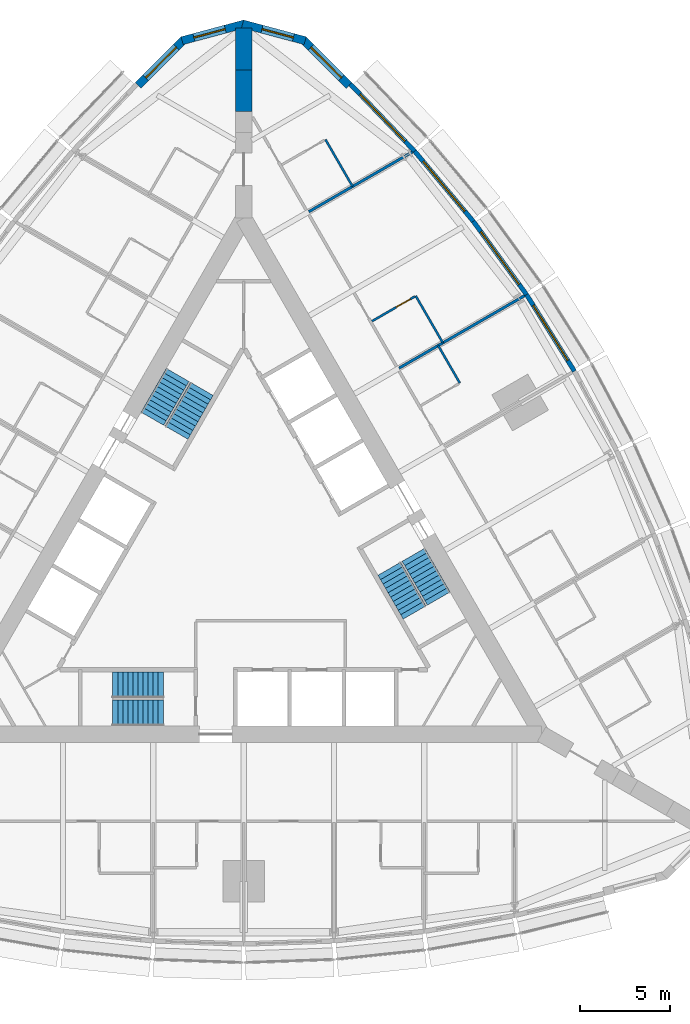
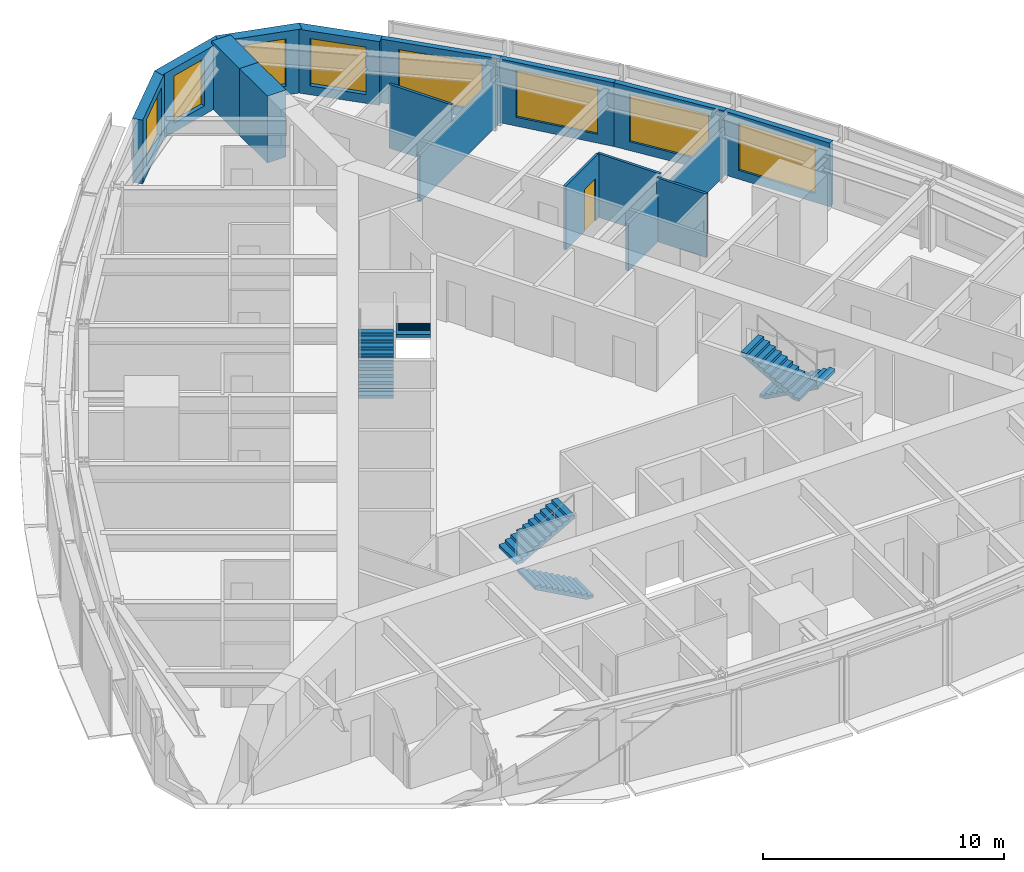
# One storey, part 13 of 14: 16 walls, 8 windows, 6 stair flights, 1 door, 9 openings, 3 elements without a shape of their own.
"""IFC4 building model written with IfcOpenShell, lengths in metres."""

import ifcopenshell
import ifcopenshell.guid

model = None  # the IFC model being written
_history = None  # IfcOwnerHistory: only IFC2X3 demands one
_inside = {}  # id of a spatial element -> (the spatial element, [elements in it])
_under = {}  # id of a project, library or spatial element -> (it, [spatial elements below it])
_declared = {}  # id of a project -> (the project, [libraries it declares])
_typed = {}  # id of a type object -> (the type object, [elements of that type])
_made_of = {}  # id of a material, layer set ... -> (it, [elements and type objects made of it])


def new_model(schema):
    """Start an empty IFC model of exactly this schema.

    Asked for "IFC4X3", IfcOpenShell would pick the latest addendum, in which some entities
    have other attributes; the version numbers below select the first issue.
    IFC2X3 requires an IfcOwnerHistory on every rooted entity: one is made here for all.
    """
    global model, _history
    if schema == "IFC4X3":
        model = ifcopenshell.file(schema_version=(4, 3, 0, 0))
    else:
        model = ifcopenshell.file(schema=schema)
    _inside.clear()
    _under.clear()
    _declared.clear()
    _typed.clear()
    _made_of.clear()
    _history = None
    if model.schema == "IFC2X3":
        org = make("IfcOrganization", Name="unknown")
        user = make(
            "IfcPersonAndOrganization",
            ThePerson=make("IfcPerson", FamilyName="unknown"),
            TheOrganization=org,
        )
        app = make(
            "IfcApplication",
            ApplicationDeveloper=org,
            Version="unknown",
            ApplicationFullName="unknown",
            ApplicationIdentifier="unknown",
        )
        _history = make(
            "IfcOwnerHistory",
            OwningUser=user,
            OwningApplication=app,
            ChangeAction="ADDED",
            CreationDate=0,
        )
    return model


def make(cls, **values):
    """One entity of the class cls with the attributes given. An attribute that is None is left unset."""
    return model.create_entity(
        cls, **{name: value for name, value in values.items() if value is not None}
    )


def rooted(cls, **values):
    """An entity with a GlobalId (a new one), such as an element, a storey or a relation."""
    return make(cls, GlobalId=ifcopenshell.guid.new(), OwnerHistory=_history, **values)


def si_unit(unit_type, name, prefix=None):
    """IfcSIUnit, for example si_unit("LENGTHUNIT", "METRE", prefix="MILLI")."""
    return make("IfcSIUnit", UnitType=unit_type, Prefix=prefix, Name=name)


def assignment(units):
    """IfcUnitAssignment: the units of a project."""
    return None if units is None else make("IfcUnitAssignment", Units=units)


def point(xyz):
    """IfcCartesianPoint."""
    return None if xyz is None else make("IfcCartesianPoint", Coordinates=xyz)


def direction(xyz):
    """IfcDirection."""
    return None if xyz is None else make("IfcDirection", DirectionRatios=xyz)


def frame(location, z_axis=None, x_axis=None):
    """IfcAxis2Placement3D, a coordinate frame: its origin and axes. An axis left out is left unset."""
    return make(
        "IfcAxis2Placement3D",
        Location=point(location),
        Axis=direction(z_axis),
        RefDirection=direction(x_axis),
    )


def frame_2d(location, x_axis=None):
    """IfcAxis2Placement2D, a coordinate frame in the plane: its origin and x axis."""
    return make(
        "IfcAxis2Placement2D", Location=point(location), RefDirection=direction(x_axis)
    )


def origin():
    """The frame at (0, 0, 0) with its axes left unset."""
    return frame((0.0, 0.0, 0.0))


def place(relative_to, where):
    """IfcLocalPlacement: puts the frame where relative to a parent placement (None: the world)."""
    return make(
        "IfcLocalPlacement", PlacementRelTo=relative_to, RelativePlacement=where
    )


def context(
    kind, dimensions, precision=None, world=None, true_north=None, identifier=None
):
    """IfcGeometricRepresentationContext, for example the 3D "Model" context."""
    return make(
        "IfcGeometricRepresentationContext",
        ContextIdentifier=identifier,
        ContextType=kind,
        CoordinateSpaceDimension=dimensions,
        Precision=precision,
        WorldCoordinateSystem=world,
        TrueNorth=true_north,
    )


def subcontext(parent, identifier, kind, view, scale=None):
    """IfcGeometricRepresentationSubContext, for example "Body" below "Model"."""
    return make(
        "IfcGeometricRepresentationSubContext",
        ContextIdentifier=identifier,
        ContextType=kind,
        ParentContext=parent,
        TargetScale=scale,
        TargetView=view,
    )


def project(units=None, contexts=None):
    """IfcProject with its units and contexts."""
    return rooted(
        "IfcProject",
        Name="project",
        RepresentationContexts=contexts,
        UnitsInContext=assignment(units),
    )


def spatial(cls, under=None, at=None, **own):
    """A site, building, storey or space (cls), placed at a placement, below another one or the project."""
    s = rooted(cls, ObjectPlacement=at, **own)
    if under is not None:
        _under.setdefault(under.id(), (under, []))[1].append(s)
    return s


def polyline(points):
    """IfcPolyline through the points."""
    return make("IfcPolyline", Points=[point(p) for p in points])


def profile(cls, at=None, kind="AREA", **sizes):
    """A parametric profile (cls). Its sizes go by their IFC names, for example OverallWidth=200.0."""
    return make(cls, ProfileType=kind, Position=at, **sizes)


def rectangle(**sizes):
    """IfcRectangleProfileDef."""
    return profile("IfcRectangleProfileDef", **sizes)


def outline(outer, holes=None, kind="AREA"):
    """IfcArbitraryClosedProfileDef: a profile drawn as a closed curve; with holes, ...WithVoids."""
    if holes is None:
        return make("IfcArbitraryClosedProfileDef", ProfileType=kind, OuterCurve=outer)
    return make(
        "IfcArbitraryProfileDefWithVoids",
        ProfileType=kind,
        OuterCurve=outer,
        InnerCurves=holes,
    )


def extrude(swept, where, along, depth):
    """IfcExtrudedAreaSolid: the profile swept, set in the frame where, extruded along a direction by depth."""
    return make(
        "IfcExtrudedAreaSolid",
        SweptArea=swept,
        Position=where,
        ExtrudedDirection=direction(along),
        Depth=depth,
    )


def shape(context_of_items, identifier, shape_type, items):
    """IfcShapeRepresentation: the items that make up one representation, for example the "Body"."""
    return make(
        "IfcShapeRepresentation",
        ContextOfItems=context_of_items,
        RepresentationIdentifier=identifier,
        RepresentationType=shape_type,
        Items=items,
    )


def material(Name=None, Category=None):
    """IfcMaterial."""
    return make("IfcMaterial", Name=Name, Category=Category)


def layer(
    of_material, thickness, ventilated=None, Name=None, Category=None, Priority=None
):
    """IfcMaterialLayer: one layer of a wall or slab, of a material (None: an air gap)."""
    return make(
        "IfcMaterialLayer",
        Material=of_material,
        LayerThickness=thickness,
        IsVentilated=ventilated,
        Name=Name,
        Category=Category,
        Priority=Priority,
    )


def layer_set(layers, Name=None):
    """IfcMaterialLayerSet."""
    return make("IfcMaterialLayerSet", MaterialLayers=layers, LayerSetName=Name)


def made_of(thing, what):
    """Note that an element or type object is made of a material, layer set ...; save() writes the relation."""
    if what is not None:
        _made_of.setdefault(what.id(), (what, []))[1].append(thing)
    return thing


def type_object(cls, material=None, **own):
    """A type object (cls), such as IfcWallType, which elements share."""
    return made_of(rooted(cls, **own), material)


def element(
    cls,
    number,
    at=None,
    inside=None,
    cuts=None,
    type_object=None,
    material=None,
    context=None,
    identifier="Body",
    shape_type=None,
    held_by="IfcProductDefinitionShape",
    body=None,
    shapes=None,
    **own,
):
    """One element of the class cls, such as IfcWall. Its Tag is "e" and its number.

    at: its placement. inside: the storey or other place that contains it. cuts: it is an
    opening in that element (IfcRelVoidsElement). A single representation is given by context,
    identifier, shape_type and body (its items); several are given by shapes. held_by: the class
    of the entity that holds the representations. save() writes the other relations.
    """
    e = rooted(cls, Tag="e%d" % number, ObjectPlacement=at, **own)
    if body is not None:
        shapes = [shape(context, identifier, shape_type, body)]
    if shapes is not None:
        e.Representation = make(held_by, Representations=shapes)
    if inside is not None:
        _inside.setdefault(inside.id(), (inside, []))[1].append(e)
    if cuts is not None:
        rooted(
            "IfcRelVoidsElement", RelatingBuildingElement=cuts, RelatedOpeningElement=e
        )
    if type_object is not None:
        _typed.setdefault(type_object.id(), (type_object, []))[1].append(e)
    return made_of(e, material)


def fill(opening, filler):
    """IfcRelFillsElement: the door or window that sits in an opening."""
    return rooted(
        "IfcRelFillsElement",
        RelatingOpeningElement=opening,
        RelatedBuildingElement=filler,
    )


def aggregate(whole, parts):
    """IfcRelAggregates: a whole, such as a stair, and the parts it consists of."""
    return rooted("IfcRelAggregates", RelatingObject=whole, RelatedObjects=parts)


def save(model, path):
    """Write the relations noted so far, then the file.

    IfcRelAggregates (storeys below a building ...), IfcRelContainedInSpatialStructure (elements
    in a storey), IfcRelDefinesByType, IfcRelAssociatesMaterial and IfcRelDeclares: one each for
    every whole, place, type object, material and project.
    """
    for whole, parts in _under.values():
        aggregate(whole, parts)
    for where, things in _inside.values():
        rooted(
            "IfcRelContainedInSpatialStructure",
            RelatedElements=things,
            RelatingStructure=where,
        )
    for kind, things in _typed.values():
        rooted("IfcRelDefinesByType", RelatedObjects=things, RelatingType=kind)
    for what, things in _made_of.values():
        rooted("IfcRelAssociatesMaterial", RelatedObjects=things, RelatingMaterial=what)
    for by, libraries in _declared.values():
        rooted("IfcRelDeclares", RelatingContext=by, RelatedDefinitions=libraries)
    model.write(path)


model = new_model("IFC4")

# Units and contexts
model_context = context("Model", 3, precision=1e-05, world=origin(), true_north=direction((0.0, 1.0)))
body_context = subcontext(model_context, "Body", "Model", "MODEL_VIEW")
ifc_project = project(units=[si_unit("LENGTHUNIT", "METRE"), si_unit("AREAUNIT", "SQUARE_METRE"), si_unit("VOLUMEUNIT", "CUBIC_METRE"), si_unit("PLANEANGLEUNIT", "RADIAN"), si_unit("MASSUNIT", "GRAM", prefix="KILO")], contexts=[model_context])

# Site, building, storey
site_placement = place(None, origin())
site = spatial("IfcSite", under=ifc_project, at=site_placement, CompositionType="ELEMENT")
building_placement = place(site_placement, origin())
building = spatial("IfcBuilding", under=site, at=building_placement, Name="Trikona Tower", CompositionType="ELEMENT")
storey_placement = place(building_placement, frame((0.0, 0.0, 131.699951171875)))
storey = spatial("IfcBuildingStorey", under=building, at=storey_placement, Name="L34", CompositionType="ELEMENT", Elevation=131.699951171875)

# Walls
ifc_material_1 = material(Name="Metal stud and cement board", Category="gypsum")
ifc_layer_1 = layer(ifc_material_1, 0.1201171875)
ifc_layer_set_1 = layer_set([ifc_layer_1], Name="Bathroom wall 120")
wall_type_1 = type_object("IfcWallType", Name="Bathroom wall 120", PredefinedType="PLUMBINGWALL", material=ifc_layer_set_1)
wall_1_placement = place(storey_placement, frame((11.972900390625, 9.914794921875, 0.0), z_axis=(0.0, 0.0, 1.0), x_axis=(-0.499957262057, 0.866050077142, 0.0)))
element("IfcWall", 1, at=wall_1_placement, inside=storey, type_object=wall_type_1, Name="Bathroom wall 3409", PredefinedType="PLUMBINGWALL", context=body_context, shape_type="SweptSolid", body=[
    extrude(rectangle(XDim=2.400146484375, YDim=0.1201171875, at=frame_2d((1.2001953125, 0.0))), origin(), (0.0, 0.0, 1.0), 3.235107421875),
])
wall_2_placement = place(storey_placement, frame((11.03271484375, 12.143310546875, 0.0), z_axis=(0.0, 0.0, 1.0), x_axis=(-0.50002537861, 0.866010750942, 0.0)))
element("IfcWall", 2, at=wall_2_placement, inside=storey, type_object=wall_type_1, Name="Bathroom wall 3410", PredefinedType="PLUMBINGWALL", context=body_context, shape_type="SweptSolid", body=[
    extrude(rectangle(XDim=2.999755859375, YDim=0.1201171875, at=frame_2d((1.5, 0.0))), origin(), (0.0, 0.0, 1.0), 3.235107421875),
])

# Wall, opening, door
wall_3_placement = place(storey_placement, frame((7.10791015625, 13.34130859375, 0.0), z_axis=(0.0, 0.0, 1.0), x_axis=(0.866035715982, 0.499982138324, 0.0)))
wall_3 = element("IfcWall", 3, at=wall_3_placement, inside=storey, type_object=wall_type_1, Name="Bathroom wall 3410", PredefinedType="PLUMBINGWALL", context=body_context, shape_type="SweptSolid", body=[
    extrude(rectangle(XDim=2.73974609375, YDim=0.1201171875, at=frame_2d((1.369873046875, 0.0))), origin(), (0.0, 0.0, 1.0), 3.235107421875),
])
opening_1_placement = place(wall_3_placement, frame((1.550048828125, 0.0, 0.0)))
opening_1 = element("IfcOpeningElement", 4, at=opening_1_placement, cuts=wall_3, Name="Opening D2", PredefinedType="OPENING", context=body_context, shape_type="SweptSolid", body=[
    extrude(rectangle(XDim=0.89990234375, YDim=2.1298828125, at=frame_2d((0.449951171875, 1.06494140625))), frame((0.0, 0.070068359375, 0.0), z_axis=(0.0, -1.0, 0.0), x_axis=(1.0, 0.0, 0.0)), (0.0, 0.0, 1.0), 0.14013671875),
])
ifc_material_2 = material(Name="Steel door frame with solid-core timber leaf", Category="steel")
door_type = type_object("IfcDoorType", Name="Bathroom door 900x2130", OperationType="SLIDING_TO_LEFT", PredefinedType="DOOR", material=ifc_material_2)
door_placement = place(opening_1_placement, origin())
door = element("IfcDoor", 5, at=door_placement, inside=storey, type_object=door_type, Name="Bathroom door 3410", OperationType="SLIDING_TO_LEFT", OverallHeight=2.1298828125, OverallWidth=0.89990234375, PredefinedType="DOOR", context=body_context, shape_type="SweptSolid", body=[
    extrude(rectangle(XDim=0.89990234375, YDim=2.1298828125, at=frame_2d((0.449951171875, 1.06494140625))), frame((0.0, 0.02490234375, 0.0), z_axis=(0.0, -1.0, 0.0), x_axis=(1.0, 0.0, 0.0)), (0.0, 0.0, 1.0), 0.050048828125),
])
fill(opening_1, door)

# Wall
wall_4_placement = place(storey_placement, frame((6.03271484375, 20.803466796875, 0.0), z_axis=(0.0, 0.0, 1.0), x_axis=(-0.499990139034, 0.866031096941, 0.0)))
element("IfcWall", 6, at=wall_4_placement, inside=storey, type_object=wall_type_1, Name="Bathroom wall 3411", PredefinedType="PLUMBINGWALL", context=body_context, shape_type="SweptSolid", body=[
    extrude(rectangle(XDim=3.0, YDim=0.1201171875, at=frame_2d((1.5, 0.0))), origin(), (0.0, 0.0, 1.0), 3.235107421875),
])

# Wall, opening, window
ifc_material_3 = material(Name="Brick-faced precast concrete", Category="masonry")
ifc_layer_2 = layer(ifc_material_3, 0.449951171875)
ifc_layer_set_2 = layer_set([ifc_layer_2], Name="Brick-faced corner wall 450")
wall_type_2 = type_object("IfcWallType", Name="Brick-faced corner wall 450", PredefinedType="SOLIDWALL", material=ifc_layer_set_2)
wall_5_placement = place(storey_placement, frame((5.8408203125, 26.39892578125, 0.0), z_axis=(0.0, 0.0, 1.0), x_axis=(-0.707106781187, 0.707106781187, 0.0)))
wall_5 = element("IfcWall", 7, at=wall_5_placement, inside=storey, type_object=wall_type_2, Name="External wall L34-20", PredefinedType="SOLIDWALL", context=body_context, shape_type="SweptSolid", body=[
    extrude(rectangle(XDim=3.586181640625, YDim=0.449951171875, at=frame_2d((1.79296875, 0.0))), origin(), (0.0, 0.0, 1.0), 3.235107421875),
])
opening_2_placement = place(wall_5_placement, frame((0.59326171875, 0.0, 0.449951171875)))
opening_2 = element("IfcOpeningElement", 8, at=opening_2_placement, cuts=wall_5, Name="Opening W2424", PredefinedType="OPENING", context=body_context, shape_type="SweptSolid", body=[
    extrude(rectangle(XDim=2.39990234375, YDim=2.39990234375, at=frame_2d((1.199951171875, 1.199951171875))), frame((0.0, 0.23486328125, 0.0), z_axis=(0.0, -1.0, 0.0), x_axis=(1.0, 0.0, 0.0)), (0.0, 0.0, 1.0), 0.469970703125),
])
ifc_material_4 = material(Name="Aluminium-framed double glazing", Category="aluminium")
window_type_1 = type_object("IfcWindowType", Name="Window 2400x2400", PartitioningType="SINGLE_PANEL", PredefinedType="WINDOW", material=ifc_material_4)
window_1_placement = place(opening_2_placement, origin())
window_1 = element("IfcWindow", 9, at=window_1_placement, inside=storey, type_object=window_type_1, Name="Window 3411", OverallHeight=2.39990234375, OverallWidth=2.39990234375, PartitioningType="SINGLE_PANEL", PredefinedType="WINDOW", context=body_context, shape_type="SweptSolid", body=[
    extrude(rectangle(XDim=2.39990234375, YDim=2.39990234375, at=frame_2d((1.199951171875, 1.199951171875))), frame((0.0, 0.030029296875, 0.0), z_axis=(0.0, -1.0, 0.0), x_axis=(1.0, 0.0, 0.0)), (0.0, 0.0, 1.0), 0.06005859375),
])
fill(opening_2, window_1)

wall_6_placement = place(storey_placement, frame((3.406005859375, 28.876708984375, 0.0), z_axis=(0.0, 0.0, 1.0), x_axis=(-0.965924653531, 0.258823421857, 0.0)))
wall_6 = element("IfcWall", 10, at=wall_6_placement, inside=storey, type_object=wall_type_2, Name="External wall L34-21", PredefinedType="SOLIDWALL", context=body_context, shape_type="SweptSolid", body=[
    extrude(outline(polyline([(3.58642578125, 0.22509765625), (3.526611328125, 0.22509765625), (3.035400390625, 0.09326171875), (3.0, 0.22509765625), (0.0, 0.22509765625), (0.0, -0.22509765625), (3.58642578125, -0.22509765625), (3.58642578125, 0.22509765625)])), origin(), (0.0, 0.0, 1.0), 3.235107421875),
])
opening_3_placement = place(wall_6_placement, frame((0.6748046875, 0.0, 0.449951171875)))
opening_3 = element("IfcOpeningElement", 11, at=opening_3_placement, cuts=wall_6, Name="Opening W1824", PredefinedType="OPENING", context=body_context, shape_type="SweptSolid", body=[
    extrude(rectangle(XDim=1.800048828125, YDim=2.39990234375, at=frame_2d((0.89990234375, 1.199951171875))), frame((0.0, 0.23486328125, 0.0), z_axis=(0.0, -1.0, 0.0), x_axis=(1.0, 0.0, 0.0)), (0.0, 0.0, 1.0), 0.469970703125),
])
ifc_material_5 = material(Name="Aluminium-framed double glazing", Category="aluminium")
window_type_2 = type_object("IfcWindowType", Name="Window 1800x2400", PartitioningType="SINGLE_PANEL", PredefinedType="WINDOW", material=ifc_material_5)
window_2_placement = place(opening_3_placement, origin())
window_2 = element("IfcWindow", 12, at=window_2_placement, inside=storey, type_object=window_type_2, Name="Window 3411", OverallHeight=2.39990234375, OverallWidth=1.800048828125, PartitioningType="SINGLE_PANEL", PredefinedType="WINDOW", context=body_context, shape_type="SweptSolid", body=[
    extrude(rectangle(XDim=1.800048828125, YDim=2.39990234375, at=frame_2d((0.89990234375, 1.199951171875))), frame((0.0, 0.030029296875, 0.0), z_axis=(0.0, -1.0, 0.0), x_axis=(1.0, 0.0, 0.0)), (0.0, 0.0, 1.0), 0.06005859375),
])
fill(opening_3, window_2)

wall_7_placement = place(storey_placement, frame((0.05810546875, 29.804931640625, 0.0), z_axis=(0.0, 0.0, 1.0), x_axis=(-0.965924653531, -0.258823421857, 0.0)))
wall_7 = element("IfcWall", 13, at=wall_7_placement, inside=storey, type_object=wall_type_2, Name="External wall L34-22", PredefinedType="SOLIDWALL", context=body_context, shape_type="SweptSolid", body=[
    extrude(outline(polyline([(3.58642578125, 0.22509765625), (0.58642578125, 0.22509765625), (0.551025390625, 0.09326171875), (0.0595703125, 0.22509765625), (0.0, 0.22509765625), (0.0, -0.22509765625), (3.58642578125, -0.22509765625), (3.58642578125, 0.22509765625)])), origin(), (0.0, 0.0, 1.0), 3.235107421875),
])
opening_4_placement = place(wall_7_placement, frame((1.111328125, 0.0, 0.449951171875)))
opening_4 = element("IfcOpeningElement", 14, at=opening_4_placement, cuts=wall_7, Name="Opening W1824", PredefinedType="OPENING", context=body_context, shape_type="SweptSolid", body=[
    extrude(rectangle(XDim=1.800048828125, YDim=2.39990234375, at=frame_2d((0.89990234375, 1.199951171875))), frame((0.0, 0.23486328125, 0.0), z_axis=(0.0, -1.0, 0.0), x_axis=(1.0, 0.0, 0.0)), (0.0, 0.0, 1.0), 0.469970703125),
])
window_3_placement = place(opening_4_placement, origin())
window_3 = element("IfcWindow", 15, at=window_3_placement, inside=storey, type_object=window_type_2, Name="Window 3412", OverallHeight=2.39990234375, OverallWidth=1.800048828125, PartitioningType="SINGLE_PANEL", PredefinedType="WINDOW", context=body_context, shape_type="SweptSolid", body=[
    extrude(rectangle(XDim=1.800048828125, YDim=2.39990234375, at=frame_2d((0.89990234375, 1.199951171875))), frame((0.0, 0.030029296875, 0.0), z_axis=(0.0, -1.0, 0.0), x_axis=(1.0, 0.0, 0.0)), (0.0, 0.0, 1.0), 0.06005859375),
])
fill(opening_4, window_3)

wall_8_placement = place(storey_placement, frame((-3.304931640625, 28.934814453125, 0.0), z_axis=(0.0, 0.0, 1.0), x_axis=(-0.707106781187, -0.707106781187, 0.0)))
wall_8 = element("IfcWall", 16, at=wall_8_placement, inside=storey, type_object=wall_type_2, Name="External wall L34-23", PredefinedType="SOLIDWALL", context=body_context, shape_type="SweptSolid", body=[
    extrude(rectangle(XDim=3.586181640625, YDim=0.449951171875, at=frame_2d((1.79296875, 0.0))), origin(), (0.0, 0.0, 1.0), 3.235107421875),
])
opening_5_placement = place(wall_8_placement, frame((0.59326171875, 0.0, 0.449951171875)))
opening_5 = element("IfcOpeningElement", 17, at=opening_5_placement, cuts=wall_8, Name="Opening W2424", PredefinedType="OPENING", context=body_context, shape_type="SweptSolid", body=[
    extrude(rectangle(XDim=2.39990234375, YDim=2.39990234375, at=frame_2d((1.199951171875, 1.199951171875))), frame((0.0, 0.23486328125, 0.0), z_axis=(0.0, -1.0, 0.0), x_axis=(1.0, 0.0, 0.0)), (0.0, 0.0, 1.0), 0.469970703125),
])
window_4_placement = place(opening_5_placement, origin())
window_4 = element("IfcWindow", 18, at=window_4_placement, inside=storey, type_object=window_type_1, Name="Window 3412", OverallHeight=2.39990234375, OverallWidth=2.39990234375, PartitioningType="SINGLE_PANEL", PredefinedType="WINDOW", context=body_context, shape_type="SweptSolid", body=[
    extrude(rectangle(XDim=2.39990234375, YDim=2.39990234375, at=frame_2d((1.199951171875, 1.199951171875))), frame((0.0, 0.030029296875, 0.0), z_axis=(0.0, -1.0, 0.0), x_axis=(1.0, 0.0, 0.0)), (0.0, 0.0, 1.0), 0.06005859375),
])
fill(opening_5, window_4)

# Walls
ifc_material_6 = material(Name="Concrete f'c 10000 psi", Category="concrete")
ifc_layer_3 = layer(ifc_material_6, 0.89990234375)
ifc_layer_set_3 = layer_set([ifc_layer_3], Name="Buttress wall 900")
wall_type_3 = type_object("IfcWallType", Name="Buttress wall 900", PredefinedType="SHEAR", material=ifc_layer_set_3)
wall_9_placement = place(storey_placement, frame((0.0, 24.953369140625, 0.0), z_axis=(0.0, 0.0, 1.0), x_axis=(0.0, 1.0, 0.0)))
element("IfcWall", 19, at=wall_9_placement, inside=storey, type_object=wall_type_3, Name="Buttress wall 2 part 3", PredefinedType="SHEAR", context=body_context, shape_type="SweptSolid", body=[
    extrude(rectangle(XDim=2.309326171875, YDim=0.89990234375, at=frame_2d((1.15478515625, 0.0))), origin(), (0.0, 0.0, 1.0), 3.400146484375),
])
wall_10_placement = place(storey_placement, frame((0.0, 27.2626953125, 0.0), z_axis=(0.0, 0.0, 1.0), x_axis=(0.0, 1.0, 0.0)))
element("IfcWall", 20, at=wall_10_placement, inside=storey, type_object=wall_type_3, Name="Buttress wall 2 part 4", PredefinedType="SHEAR", context=body_context, shape_type="SweptSolid", body=[
    extrude(rectangle(XDim=2.3095703125, YDim=0.89990234375, at=frame_2d((1.15478515625, 0.0))), origin(), (0.0, 0.0, 1.0), 3.400146484375),
])

# Wall, opening, window
ifc_material_7 = material(Name="Insulated precast concrete spandrel panel", Category="concrete")
ifc_layer_4 = layer(ifc_material_7, 0.25)
ifc_layer_set_4 = layer_set([ifc_layer_4], Name="Inner skin wall 250")
wall_type_4 = type_object("IfcWallType", Name="Inner skin wall 250", PredefinedType="STANDARD", material=ifc_layer_set_4)
wall_11_placement = place(storey_placement, frame((18.31884765625, 10.5712890625, 0.0), z_axis=(0.0, 0.0, 1.0), x_axis=(-0.529990167382, 0.84800378683, 0.0)))
wall_11 = element("IfcWall", 21, at=wall_11_placement, inside=storey, type_object=wall_type_4, Name="External wall L34-16", PredefinedType="STANDARD", context=body_context, shape_type="SweptSolid", body=[
    extrude(rectangle(XDim=5.003173828125, YDim=0.25, at=frame_2d((2.50146484375, 0.0))), origin(), (0.0, 0.0, 1.0), 3.235107421875),
])
opening_6_placement = place(wall_11_placement, frame((0.701416015625, 0.0, 0.449951171875)))
opening_6 = element("IfcOpeningElement", 22, at=opening_6_placement, cuts=wall_11, Name="Opening W3624", PredefinedType="OPENING", context=body_context, shape_type="SweptSolid", body=[
    extrude(rectangle(XDim=3.60009765625, YDim=2.39990234375, at=frame_2d((1.800048828125, 1.199951171875))), frame((0.0, 0.135009765625, 0.0), z_axis=(0.0, -1.0, 0.0), x_axis=(1.0, 0.0, 0.0)), (0.0, 0.0, 1.0), 0.27001953125),
])
ifc_material_8 = material(Name="Aluminium-framed double glazing", Category="aluminium")
window_type_3 = type_object("IfcWindowType", Name="Window 3600x2400", PartitioningType="SINGLE_PANEL", PredefinedType="WINDOW", material=ifc_material_8)
window_5_placement = place(opening_6_placement, origin())
window_5 = element("IfcWindow", 23, at=window_5_placement, inside=storey, type_object=window_type_3, Name="Window 3409", OverallHeight=2.39990234375, OverallWidth=3.60009765625, PartitioningType="SINGLE_PANEL", PredefinedType="WINDOW", context=body_context, shape_type="SweptSolid", body=[
    extrude(rectangle(XDim=3.60009765625, YDim=2.39990234375, at=frame_2d((1.800048828125, 1.199951171875))), frame((0.0, 0.030029296875, 0.0), z_axis=(0.0, -1.0, 0.0), x_axis=(1.0, 0.0, 0.0)), (0.0, 0.0, 1.0), 0.06005859375),
])
fill(opening_6, window_5)

wall_12_placement = place(storey_placement, frame((15.672119140625, 14.806640625, 0.0), z_axis=(0.0, 0.0, 1.0), x_axis=(-0.587669188412, 0.809101307001, 0.0)))
wall_12 = element("IfcWall", 24, at=wall_12_placement, inside=storey, type_object=wall_type_4, Name="External wall L34-17", PredefinedType="STANDARD", context=body_context, shape_type="SweptSolid", body=[
    extrude(rectangle(XDim=5.027587890625, YDim=0.25, at=frame_2d((2.513671875, 0.0))), origin(), (0.0, 0.0, 1.0), 3.235107421875),
])
opening_7_placement = place(wall_12_placement, frame((0.7138671875, 0.0, 0.449951171875)))
opening_7 = element("IfcOpeningElement", 25, at=opening_7_placement, cuts=wall_12, Name="Opening W3624", PredefinedType="OPENING", context=body_context, shape_type="SweptSolid", body=[
    extrude(rectangle(XDim=3.60009765625, YDim=2.39990234375, at=frame_2d((1.800048828125, 1.199951171875))), frame((0.0, 0.135009765625, 0.0), z_axis=(0.0, -1.0, 0.0), x_axis=(1.0, 0.0, 0.0)), (0.0, 0.0, 1.0), 0.27001953125),
])
window_6_placement = place(opening_7_placement, origin())
window_6 = element("IfcWindow", 26, at=window_6_placement, inside=storey, type_object=window_type_3, Name="Window 3410", OverallHeight=2.39990234375, OverallWidth=3.60009765625, PartitioningType="SINGLE_PANEL", PredefinedType="WINDOW", context=body_context, shape_type="SweptSolid", body=[
    extrude(rectangle(XDim=3.60009765625, YDim=2.39990234375, at=frame_2d((1.800048828125, 1.199951171875))), frame((0.0, 0.030029296875, 0.0), z_axis=(0.0, -1.0, 0.0), x_axis=(1.0, 0.0, 0.0)), (0.0, 0.0, 1.0), 0.06005859375),
])
fill(opening_7, window_6)

wall_13_placement = place(storey_placement, frame((12.722900390625, 18.86767578125, 0.0), z_axis=(0.0, 0.0, 1.0), x_axis=(-0.641810386606, 0.766863369607, 0.0)))
wall_13 = element("IfcWall", 27, at=wall_13_placement, inside=storey, type_object=wall_type_4, Name="External wall L34-18", PredefinedType="STANDARD", context=body_context, shape_type="SweptSolid", body=[
    extrude(rectangle(XDim=5.075927734375, YDim=0.25, at=frame_2d((2.5380859375, 0.0))), origin(), (0.0, 0.0, 1.0), 3.235107421875),
])
opening_8_placement = place(wall_13_placement, frame((0.738037109375, 0.0, 0.449951171875)))
opening_8 = element("IfcOpeningElement", 28, at=opening_8_placement, cuts=wall_13, Name="Opening W3624", PredefinedType="OPENING", context=body_context, shape_type="SweptSolid", body=[
    extrude(rectangle(XDim=3.60009765625, YDim=2.39990234375, at=frame_2d((1.800048828125, 1.199951171875))), frame((0.0, 0.135009765625, 0.0), z_axis=(0.0, -1.0, 0.0), x_axis=(1.0, 0.0, 0.0)), (0.0, 0.0, 1.0), 0.27001953125),
])
window_7_placement = place(opening_8_placement, origin())
window_7 = element("IfcWindow", 29, at=window_7_placement, inside=storey, type_object=window_type_3, Name="Window 3410", OverallHeight=2.39990234375, OverallWidth=3.60009765625, PartitioningType="SINGLE_PANEL", PredefinedType="WINDOW", context=body_context, shape_type="SweptSolid", body=[
    extrude(rectangle(XDim=3.60009765625, YDim=2.39990234375, at=frame_2d((1.800048828125, 1.199951171875))), frame((0.0, 0.030029296875, 0.0), z_axis=(0.0, -1.0, 0.0), x_axis=(1.0, 0.0, 0.0)), (0.0, 0.0, 1.0), 0.06005859375),
])
fill(opening_8, window_7)

wall_14_placement = place(storey_placement, frame((9.470703125, 22.75390625, 0.0), z_axis=(0.0, 0.0, 1.0), x_axis=(-0.691719937936, 0.722165858693, 0.0)))
wall_14 = element("IfcWall", 30, at=wall_14_placement, inside=storey, type_object=wall_type_4, Name="External wall L34-19", PredefinedType="STANDARD", context=body_context, shape_type="SweptSolid", body=[
    extrude(rectangle(XDim=5.148193359375, YDim=0.25, at=frame_2d((2.57421875, 0.0))), origin(), (0.0, 0.0, 1.0), 3.235107421875),
])
opening_9_placement = place(wall_14_placement, frame((0.77392578125, 0.0, 0.449951171875)))
opening_9 = element("IfcOpeningElement", 31, at=opening_9_placement, cuts=wall_14, Name="Opening W3624", PredefinedType="OPENING", context=body_context, shape_type="SweptSolid", body=[
    extrude(rectangle(XDim=3.60009765625, YDim=2.39990234375, at=frame_2d((1.800048828125, 1.199951171875))), frame((0.0, 0.135009765625, 0.0), z_axis=(0.0, -1.0, 0.0), x_axis=(1.0, 0.0, 0.0)), (0.0, 0.0, 1.0), 0.27001953125),
])
window_8_placement = place(opening_9_placement, origin())
window_8 = element("IfcWindow", 32, at=window_8_placement, inside=storey, type_object=window_type_3, Name="Window 3411", OverallHeight=2.39990234375, OverallWidth=3.60009765625, PartitioningType="SINGLE_PANEL", PredefinedType="WINDOW", context=body_context, shape_type="SweptSolid", body=[
    extrude(rectangle(XDim=3.60009765625, YDim=2.39990234375, at=frame_2d((1.800048828125, 1.199951171875))), frame((0.0, 0.030029296875, 0.0), z_axis=(0.0, -1.0, 0.0), x_axis=(1.0, 0.0, 0.0)), (0.0, 0.0, 1.0), 0.06005859375),
])
fill(opening_9, window_8)

# Walls
ifc_material_9 = material(Name="Metal stud and gypsum board, 1-hour acoustic", Category="gypsum")
ifc_layer_5 = layer(ifc_material_9, 0.14990234375)
ifc_layer_set_5 = layer_set([ifc_layer_5], Name="Party wall 150")
wall_type_5 = type_object("IfcWallType", Name="Party wall 150", PredefinedType="PARTITIONING", material=ifc_layer_set_5)
wall_15_placement = place(storey_placement, frame((8.60791015625, 10.743408203125, 0.0), z_axis=(0.0, 0.0, 1.0), x_axis=(0.866041663918, 0.499971835565, 0.0)))
element("IfcWall", 33, at=wall_15_placement, inside=storey, type_object=wall_type_5, Name="Partition L34 F2 u5", PredefinedType="PARTITIONING", context=body_context, shape_type="SweptSolid", body=[
    extrude(rectangle(XDim=8.0224609375, YDim=0.14990234375, at=frame_2d((4.01123046875, 0.0))), origin(), (0.0, 0.0, 1.0), 2.38916015625),
])
wall_16_placement = place(storey_placement, frame((3.60791015625, 19.403564453125, 0.0), z_axis=(0.0, 0.0, 1.0), x_axis=(0.866015989873, 0.500016305018, 0.0)))
element("IfcWall", 34, at=wall_16_placement, inside=storey, type_object=wall_type_5, Name="Partition L34 F2 u15", PredefinedType="PARTITIONING", context=body_context, shape_type="SweptSolid", body=[
    extrude(rectangle(XDim=6.616455078125, YDim=0.14990234375, at=frame_2d((3.30810546875, 0.0))), origin(), (0.0, 0.0, 1.0), 2.38916015625),
])

# Stair, stair flights
ifc_material_10 = material(Name="Concrete f'c 5000 psi", Category="concrete")
stair_type = type_object("IfcStairType", Name="Core stair", PredefinedType="HALF_TURN_STAIR", material=ifc_material_10)
stair_1_placement = place(storey_placement, origin())
stair_1 = element("IfcStair", 35, at=stair_1_placement, inside=storey, type_object=stair_type, Name="Stair A L34", PredefinedType="HALF_TURN_STAIR")
ifc_material_11 = material(Name="Concrete f'c 5000 psi", Category="concrete")
stair_flight_type = type_object("IfcStairFlightType", Name="Core stair flight 1450", PredefinedType="STRAIGHT", material=ifc_material_11)
stair_flight_1_placement = place(storey_placement, frame((-4.449951171875, -8.351318359375, 0.0), z_axis=(0.0, 0.0, 1.0), x_axis=(-1.0, 0.0, 0.0)))
stair_flight_1 = element("IfcStairFlight", 36, at=stair_flight_1_placement, type_object=stair_flight_type, Name="ST-A flight 1", NumberOfRisers=11, NumberOfTreads=10, PredefinedType="STRAIGHT", RiserHeight=0.154545, TreadLength=0.28, context=body_context, shape_type="SweptSolid", body=[
    extrude(outline(polyline([(0.0, 0.0), (0.0, 0.154541015625), (0.280029296875, 0.154541015625), (0.280029296875, 0.30908203125), (0.56005859375, 0.30908203125), (0.56005859375, 0.463623046875), (0.840087890625, 0.463623046875), (0.840087890625, 0.6181640625), (1.1201171875, 0.6181640625), (1.1201171875, 0.772705078125), (1.39990234375, 0.772705078125), (1.39990234375, 0.92724609375), (1.679931640625, 0.92724609375), (1.679931640625, 1.081787109375), (1.9599609375, 1.081787109375), (1.9599609375, 1.236328125), (2.239990234375, 1.236328125), (2.239990234375, 1.390869140625), (2.52001953125, 1.390869140625), (2.52001953125, 1.54541015625), (2.800048828125, 1.54541015625), (2.800048828125, 1.699951171875), (2.800048828125, 1.374267578125), (0.310302734375, 0.0), (0.0, 0.0)])), frame((0.0, 0.72509765625, 0.0), z_axis=(0.0, -1.0, 0.0), x_axis=(1.0, 0.0, 0.0)), (0.0, 0.0, 1.0), 1.449951171875),
])
stair_flight_2_placement = place(storey_placement, frame((-7.25, -6.80126953125, 1.699951171875), z_axis=(0.0, 0.0, 1.0), x_axis=(1.0, 0.0, 0.0)))
stair_flight_2 = element("IfcStairFlight", 37, at=stair_flight_2_placement, type_object=stair_flight_type, Name="ST-A flight 2", NumberOfRisers=11, NumberOfTreads=10, PredefinedType="STRAIGHT", RiserHeight=0.154545, TreadLength=0.28, context=body_context, shape_type="SweptSolid", body=[
    extrude(outline(polyline([(0.0, 0.0), (0.0, 0.154541015625), (0.280029296875, 0.154541015625), (0.280029296875, 0.30908203125), (0.56005859375, 0.30908203125), (0.56005859375, 0.463623046875), (0.840087890625, 0.463623046875), (0.840087890625, 0.6181640625), (1.1201171875, 0.6181640625), (1.1201171875, 0.772705078125), (1.39990234375, 0.772705078125), (1.39990234375, 0.92724609375), (1.679931640625, 0.92724609375), (1.679931640625, 1.081787109375), (1.9599609375, 1.081787109375), (1.9599609375, 1.236328125), (2.239990234375, 1.236328125), (2.239990234375, 1.390869140625), (2.52001953125, 1.390869140625), (2.52001953125, 1.54541015625), (2.800048828125, 1.54541015625), (2.800048828125, 1.699951171875), (2.800048828125, 1.374267578125), (0.310302734375, 0.0), (0.0, 0.0)])), frame((0.0, 0.72509765625, 0.0), z_axis=(0.0, -1.0, 0.0), x_axis=(1.0, 0.0, 0.0)), (0.0, 0.0, 1.0), 1.449951171875),
])
aggregate(stair_1, [stair_flight_1, stair_flight_2])

stair_2_placement = place(storey_placement, origin())
stair_2 = element("IfcStair", 38, at=stair_2_placement, inside=storey, type_object=stair_type, Name="Stair B L34", PredefinedType="HALF_TURN_STAIR")
stair_flight_3_placement = place(storey_placement, frame((9.407470703125, 0.408447265625, 0.0), z_axis=(0.0, 0.0, 1.0), x_axis=(0.5, -0.866025403784, 0.0)))
stair_flight_3 = element("IfcStairFlight", 39, at=stair_flight_3_placement, type_object=stair_flight_type, Name="ST-B flight 1", NumberOfRisers=11, NumberOfTreads=10, PredefinedType="STRAIGHT", RiserHeight=0.154545, TreadLength=0.28, context=body_context, shape_type="SweptSolid", body=[
    extrude(outline(polyline([(0.0, 0.0), (0.0, 0.154541015625), (0.280029296875, 0.154541015625), (0.280029296875, 0.30908203125), (0.56005859375, 0.30908203125), (0.56005859375, 0.463623046875), (0.840087890625, 0.463623046875), (0.840087890625, 0.6181640625), (1.1201171875, 0.6181640625), (1.1201171875, 0.772705078125), (1.39990234375, 0.772705078125), (1.39990234375, 0.92724609375), (1.679931640625, 0.92724609375), (1.679931640625, 1.081787109375), (1.9599609375, 1.081787109375), (1.9599609375, 1.236328125), (2.239990234375, 1.236328125), (2.239990234375, 1.390869140625), (2.52001953125, 1.390869140625), (2.52001953125, 1.54541015625), (2.800048828125, 1.54541015625), (2.800048828125, 1.699951171875), (2.800048828125, 1.374267578125), (0.310302734375, 0.0), (0.0, 0.0)])), frame((0.0, 0.72509765625, 0.0), z_axis=(0.0, -1.0, 0.0), x_axis=(1.0, 0.0, 0.0)), (0.0, 0.0, 1.0), 1.449951171875),
])
stair_flight_4_placement = place(storey_placement, frame((9.465087890625, -2.79150390625, 1.699951171875), z_axis=(0.0, 0.0, 1.0), x_axis=(-0.5, 0.866025403784, 0.0)))
stair_flight_4 = element("IfcStairFlight", 40, at=stair_flight_4_placement, type_object=stair_flight_type, Name="ST-B flight 2", NumberOfRisers=11, NumberOfTreads=10, PredefinedType="STRAIGHT", RiserHeight=0.154545, TreadLength=0.28, context=body_context, shape_type="SweptSolid", body=[
    extrude(outline(polyline([(0.0, 0.0), (0.0, 0.154541015625), (0.280029296875, 0.154541015625), (0.280029296875, 0.30908203125), (0.56005859375, 0.30908203125), (0.56005859375, 0.463623046875), (0.840087890625, 0.463623046875), (0.840087890625, 0.6181640625), (1.1201171875, 0.6181640625), (1.1201171875, 0.772705078125), (1.39990234375, 0.772705078125), (1.39990234375, 0.92724609375), (1.679931640625, 0.92724609375), (1.679931640625, 1.081787109375), (1.9599609375, 1.081787109375), (1.9599609375, 1.236328125), (2.239990234375, 1.236328125), (2.239990234375, 1.390869140625), (2.52001953125, 1.390869140625), (2.52001953125, 1.54541015625), (2.800048828125, 1.54541015625), (2.800048828125, 1.699951171875), (2.800048828125, 1.374267578125), (0.310302734375, 0.0), (0.0, 0.0)])), frame((0.0, 0.72509765625, 0.0), z_axis=(0.0, -1.0, 0.0), x_axis=(1.0, 0.0, 0.0)), (0.0, 0.0, 1.0), 1.449951171875),
])
aggregate(stair_2, [stair_flight_3, stair_flight_4])

stair_3_placement = place(storey_placement, origin())
stair_3 = element("IfcStair", 41, at=stair_3_placement, inside=storey, type_object=stair_type, Name="Stair C L34", PredefinedType="HALF_TURN_STAIR")
stair_flight_5_placement = place(storey_placement, frame((-5.057373046875, 7.94287109375, 0.0), z_axis=(0.0, 0.0, 1.0), x_axis=(0.5, 0.866025403784, 0.0)))
stair_flight_5 = element("IfcStairFlight", 42, at=stair_flight_5_placement, type_object=stair_flight_type, Name="ST-C flight 1", NumberOfRisers=11, NumberOfTreads=10, PredefinedType="STRAIGHT", RiserHeight=0.154545, TreadLength=0.28, context=body_context, shape_type="SweptSolid", body=[
    extrude(outline(polyline([(0.0, 0.0), (0.0, 0.154541015625), (0.280029296875, 0.154541015625), (0.280029296875, 0.30908203125), (0.56005859375, 0.30908203125), (0.56005859375, 0.463623046875), (0.840087890625, 0.463623046875), (0.840087890625, 0.6181640625), (1.1201171875, 0.6181640625), (1.1201171875, 0.772705078125), (1.39990234375, 0.772705078125), (1.39990234375, 0.92724609375), (1.679931640625, 0.92724609375), (1.679931640625, 1.081787109375), (1.9599609375, 1.081787109375), (1.9599609375, 1.236328125), (2.239990234375, 1.236328125), (2.239990234375, 1.390869140625), (2.52001953125, 1.390869140625), (2.52001953125, 1.54541015625), (2.800048828125, 1.54541015625), (2.800048828125, 1.699951171875), (2.800048828125, 1.374267578125), (0.310302734375, 0.0), (0.0, 0.0)])), frame((0.0, 0.72509765625, 0.0), z_axis=(0.0, -1.0, 0.0), x_axis=(1.0, 0.0, 0.0)), (0.0, 0.0, 1.0), 1.449951171875),
])
stair_flight_6_placement = place(storey_placement, frame((-2.315185546875, 9.5927734375, 1.699951171875), z_axis=(0.0, 0.0, 1.0), x_axis=(-0.5, -0.866025403784, 0.0)))
stair_flight_6 = element("IfcStairFlight", 43, at=stair_flight_6_placement, type_object=stair_flight_type, Name="ST-C flight 2", NumberOfRisers=11, NumberOfTreads=10, PredefinedType="STRAIGHT", RiserHeight=0.154545, TreadLength=0.28, context=body_context, shape_type="SweptSolid", body=[
    extrude(outline(polyline([(0.0, 0.0), (0.0, 0.154541015625), (0.280029296875, 0.154541015625), (0.280029296875, 0.30908203125), (0.56005859375, 0.30908203125), (0.56005859375, 0.463623046875), (0.840087890625, 0.463623046875), (0.840087890625, 0.6181640625), (1.1201171875, 0.6181640625), (1.1201171875, 0.772705078125), (1.39990234375, 0.772705078125), (1.39990234375, 0.92724609375), (1.679931640625, 0.92724609375), (1.679931640625, 1.081787109375), (1.9599609375, 1.081787109375), (1.9599609375, 1.236328125), (2.239990234375, 1.236328125), (2.239990234375, 1.390869140625), (2.52001953125, 1.390869140625), (2.52001953125, 1.54541015625), (2.800048828125, 1.54541015625), (2.800048828125, 1.699951171875), (2.800048828125, 1.374267578125), (0.310302734375, 0.0), (0.0, 0.0)])), frame((0.0, 0.72509765625, 0.0), z_axis=(0.0, -1.0, 0.0), x_axis=(1.0, 0.0, 0.0)), (0.0, 0.0, 1.0), 1.449951171875),
])
aggregate(stair_3, [stair_flight_5, stair_flight_6])

save(model, "model.ifc")
